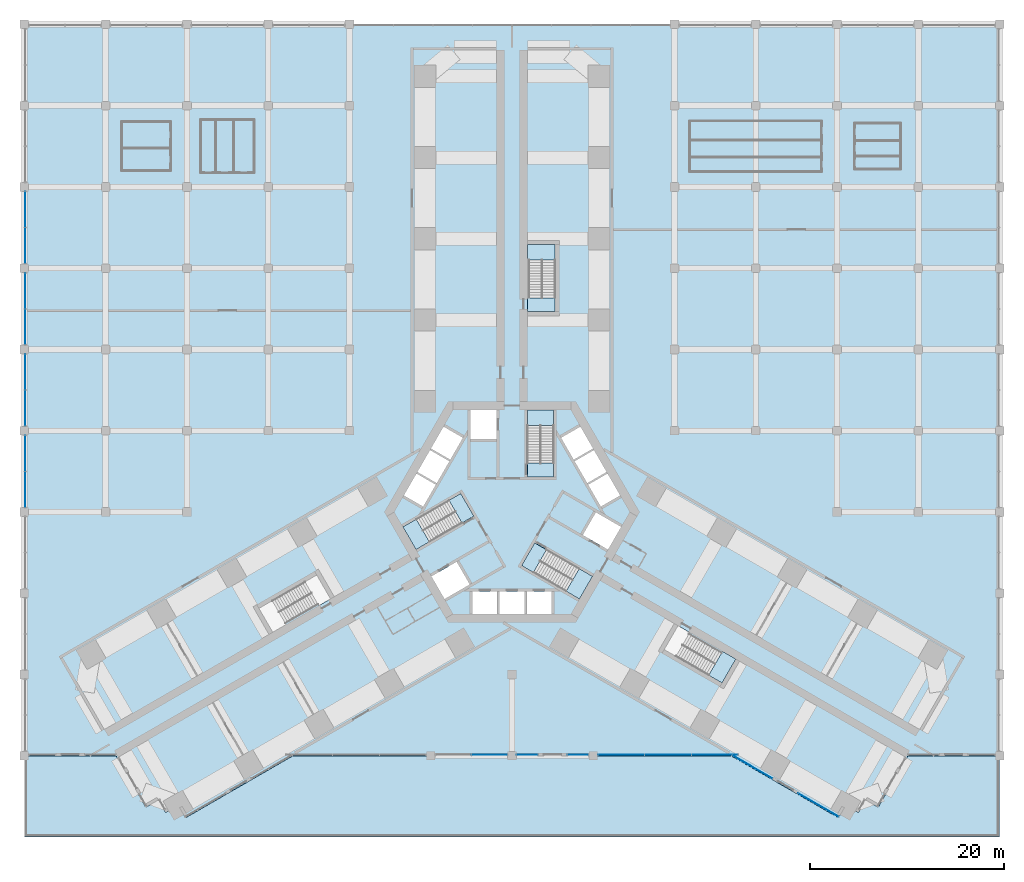
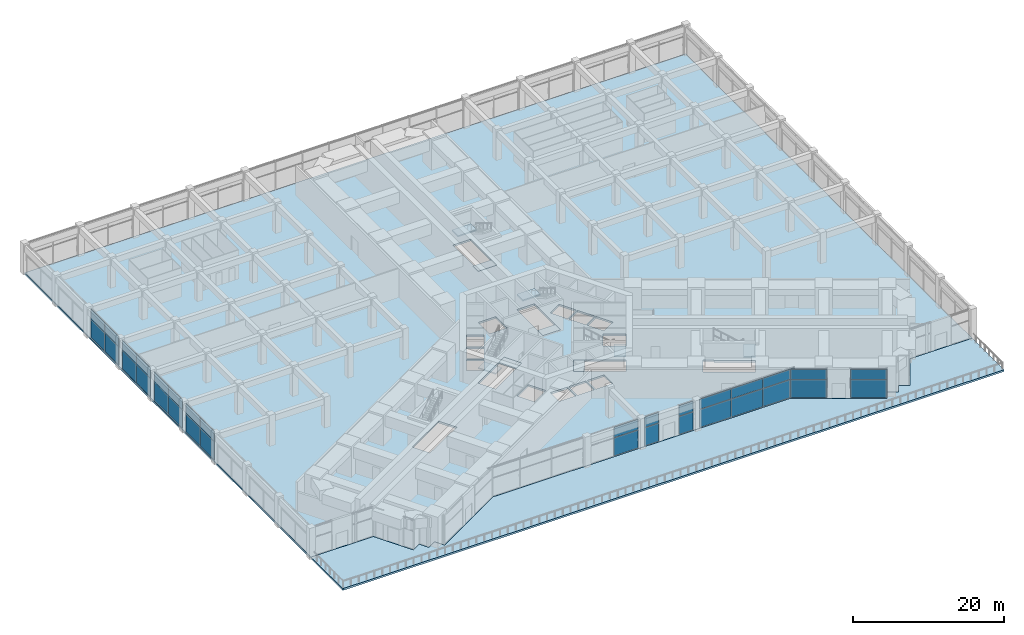
# One storey, part 23 of 34: 32 plates, 11 slabs, 15 elements without a shape of their own.
"""IFC4 building model written with IfcOpenShell, lengths in metres."""

from ifc_helpers import new_model, si_unit, direction, frame, origin, origin_2d, place, context, subcontext, project, spatial, polyline, rectangle, outline, extrude, material, layer, layer_set, type_object, element, aggregate, save


model = new_model("IFC4")

# Units and contexts
model_context = context("Model", 3, precision=1e-05, world=origin(), true_north=direction((0.0, 1.0)))
body_context = subcontext(model_context, "Body", "Model", "MODEL_VIEW")
ifc_project = project(units=[si_unit("LENGTHUNIT", "METRE"), si_unit("AREAUNIT", "SQUARE_METRE"), si_unit("VOLUMEUNIT", "CUBIC_METRE"), si_unit("PLANEANGLEUNIT", "RADIAN"), si_unit("MASSUNIT", "GRAM", prefix="KILO")], contexts=[model_context])

# Site, building, storey
site_placement = place(None, origin())
site = spatial("IfcSite", under=ifc_project, at=site_placement, CompositionType="ELEMENT")
building_placement = place(site_placement, origin())
building = spatial("IfcBuilding", under=site, at=building_placement, Name="Impinga Residences", CompositionType="ELEMENT")
storey_placement = place(building_placement, frame((0.0, 0.0, 11.0)))
storey = spatial("IfcBuildingStorey", under=building, at=storey_placement, Name="L02", CompositionType="ELEMENT", Elevation=11.0)

# Curtain wall, plates
ifc_material_1 = material(Name="Aluminium stick curtain wall", Category="aluminium")
curtain_wall_type = type_object("IfcCurtainWallType", Name="CW1 podium amenity curtain wall", PredefinedType="USERDEFINED", material=ifc_material_1)
curtain_wall_1_placement = place(storey_placement, origin())
curtain_wall_1 = element("IfcCurtainWall", 1, at=curtain_wall_1_placement, inside=storey, type_object=curtain_wall_type, Name="Curtain wall CW1 L02", ObjectType="STICK CURTAIN WALL", PredefinedType="USERDEFINED")
ifc_material_2 = material(Name="Clear double glazing", Category="glass")
ifc_layer_1 = layer(ifc_material_2, 0.028076171875)
ifc_layer_set_1 = layer_set([ifc_layer_1], Name="CW1-P clear double glazed panel 28")
plate_type = type_object("IfcPlateType", Name="CW1-P clear double glazed panel 28", PredefinedType="CURTAIN_PANEL", material=ifc_layer_set_1)
plate_1_placement = place(storey_placement, frame((-50.300048828125, 2.341552734375, 0.06005859375), z_axis=(0.0, 0.0, 1.0), x_axis=(0.0, 1.0, 0.0)))
plate_1 = element("IfcPlate", 2, at=plate_1_placement, type_object=plate_type, Name="CW1 panel 1.1", PredefinedType="CURTAIN_PANEL", context=body_context, shape_type="SweptSolid", body=[
    extrude(rectangle(XDim=3.656982421875, YDim=0.028076171875, at=origin_2d()), origin(), (0.0, 0.0, 1.0), 2.909912109375),
])
plate_2_placement = place(storey_placement, frame((-50.300048828125, 2.341552734375, 3.02978515625), z_axis=(0.0, 0.0, 1.0), x_axis=(0.0, 1.0, 0.0)))
plate_2 = element("IfcPlate", 3, at=plate_2_placement, type_object=plate_type, Name="CW1 panel 1.2", PredefinedType="CURTAIN_PANEL", context=body_context, shape_type="SweptSolid", body=[
    extrude(rectangle(XDim=3.656982421875, YDim=0.028076171875, at=origin_2d()), origin(), (0.0, 0.0, 1.0), 1.610107421875),
])
plate_3_placement = place(storey_placement, frame((-50.300048828125, 6.05859375, 0.06005859375), z_axis=(0.0, 0.0, 1.0), x_axis=(0.0, 1.0, 0.0)))
plate_3 = element("IfcPlate", 4, at=plate_3_placement, type_object=plate_type, Name="CW1 panel 2.1", PredefinedType="CURTAIN_PANEL", context=body_context, shape_type="SweptSolid", body=[
    extrude(rectangle(XDim=3.656982421875, YDim=0.028076171875, at=origin_2d()), origin(), (0.0, 0.0, 1.0), 2.909912109375),
])
plate_4_placement = place(storey_placement, frame((-50.300048828125, 6.05859375, 3.02978515625), z_axis=(0.0, 0.0, 1.0), x_axis=(0.0, 1.0, 0.0)))
plate_4 = element("IfcPlate", 5, at=plate_4_placement, type_object=plate_type, Name="CW1 panel 2.2", PredefinedType="CURTAIN_PANEL", context=body_context, shape_type="SweptSolid", body=[
    extrude(rectangle(XDim=3.656982421875, YDim=0.028076171875, at=origin_2d()), origin(), (0.0, 0.0, 1.0), 1.610107421875),
])
aggregate(curtain_wall_1, [plate_1, plate_2, plate_3, plate_4])

curtain_wall_2_placement = place(storey_placement, origin())
curtain_wall_2 = element("IfcCurtainWall", 6, at=curtain_wall_2_placement, inside=storey, type_object=curtain_wall_type, Name="Curtain wall CW1 L02", ObjectType="STICK CURTAIN WALL", PredefinedType="USERDEFINED")
plate_5_placement = place(storey_placement, frame((-50.300048828125, 10.741455078125, 0.06005859375), z_axis=(0.0, 0.0, 1.0), x_axis=(0.0, 1.0, 0.0)))
plate_5 = element("IfcPlate", 7, at=plate_5_placement, type_object=plate_type, Name="CW1 panel 1.1", PredefinedType="CURTAIN_PANEL", context=body_context, shape_type="SweptSolid", body=[
    extrude(rectangle(XDim=3.656982421875, YDim=0.028076171875, at=origin_2d()), origin(), (0.0, 0.0, 1.0), 2.909912109375),
])
plate_6_placement = place(storey_placement, frame((-50.300048828125, 10.741455078125, 3.02978515625), z_axis=(0.0, 0.0, 1.0), x_axis=(0.0, 1.0, 0.0)))
plate_6 = element("IfcPlate", 8, at=plate_6_placement, type_object=plate_type, Name="CW1 panel 1.2", PredefinedType="CURTAIN_PANEL", context=body_context, shape_type="SweptSolid", body=[
    extrude(rectangle(XDim=3.656982421875, YDim=0.028076171875, at=origin_2d()), origin(), (0.0, 0.0, 1.0), 1.610107421875),
])
plate_7_placement = place(storey_placement, frame((-50.300048828125, 14.45849609375, 0.06005859375), z_axis=(0.0, 0.0, 1.0), x_axis=(0.0, 1.0, 0.0)))
plate_7 = element("IfcPlate", 9, at=plate_7_placement, type_object=plate_type, Name="CW1 panel 2.1", PredefinedType="CURTAIN_PANEL", context=body_context, shape_type="SweptSolid", body=[
    extrude(rectangle(XDim=3.656982421875, YDim=0.028076171875, at=origin_2d()), origin(), (0.0, 0.0, 1.0), 2.909912109375),
])
plate_8_placement = place(storey_placement, frame((-50.300048828125, 14.45849609375, 3.02978515625), z_axis=(0.0, 0.0, 1.0), x_axis=(0.0, 1.0, 0.0)))
plate_8 = element("IfcPlate", 10, at=plate_8_placement, type_object=plate_type, Name="CW1 panel 2.2", PredefinedType="CURTAIN_PANEL", context=body_context, shape_type="SweptSolid", body=[
    extrude(rectangle(XDim=3.656982421875, YDim=0.028076171875, at=origin_2d()), origin(), (0.0, 0.0, 1.0), 1.610107421875),
])
aggregate(curtain_wall_2, [plate_5, plate_6, plate_7, plate_8])

curtain_wall_3_placement = place(storey_placement, origin())
curtain_wall_3 = element("IfcCurtainWall", 11, at=curtain_wall_3_placement, inside=storey, type_object=curtain_wall_type, Name="Curtain wall CW1 L02", ObjectType="STICK CURTAIN WALL", PredefinedType="USERDEFINED")
plate_9_placement = place(storey_placement, frame((-50.300048828125, 19.1416015625, 0.06005859375), z_axis=(0.0, 0.0, 1.0), x_axis=(0.0, 1.0, 0.0)))
plate_9 = element("IfcPlate", 12, at=plate_9_placement, type_object=plate_type, Name="CW1 panel 1.1", PredefinedType="CURTAIN_PANEL", context=body_context, shape_type="SweptSolid", body=[
    extrude(rectangle(XDim=3.656982421875, YDim=0.028076171875, at=origin_2d()), origin(), (0.0, 0.0, 1.0), 2.909912109375),
])
plate_10_placement = place(storey_placement, frame((-50.300048828125, 19.1416015625, 3.02978515625), z_axis=(0.0, 0.0, 1.0), x_axis=(0.0, 1.0, 0.0)))
plate_10 = element("IfcPlate", 13, at=plate_10_placement, type_object=plate_type, Name="CW1 panel 1.2", PredefinedType="CURTAIN_PANEL", context=body_context, shape_type="SweptSolid", body=[
    extrude(rectangle(XDim=3.656982421875, YDim=0.028076171875, at=origin_2d()), origin(), (0.0, 0.0, 1.0), 1.610107421875),
])
plate_11_placement = place(storey_placement, frame((-50.300048828125, 22.8583984375, 0.06005859375), z_axis=(0.0, 0.0, 1.0), x_axis=(0.0, 1.0, 0.0)))
plate_11 = element("IfcPlate", 14, at=plate_11_placement, type_object=plate_type, Name="CW1 panel 2.1", PredefinedType="CURTAIN_PANEL", context=body_context, shape_type="SweptSolid", body=[
    extrude(rectangle(XDim=3.656982421875, YDim=0.028076171875, at=origin_2d()), origin(), (0.0, 0.0, 1.0), 2.909912109375),
])
plate_12_placement = place(storey_placement, frame((-50.300048828125, 22.8583984375, 3.02978515625), z_axis=(0.0, 0.0, 1.0), x_axis=(0.0, 1.0, 0.0)))
plate_12 = element("IfcPlate", 15, at=plate_12_placement, type_object=plate_type, Name="CW1 panel 2.2", PredefinedType="CURTAIN_PANEL", context=body_context, shape_type="SweptSolid", body=[
    extrude(rectangle(XDim=3.656982421875, YDim=0.028076171875, at=origin_2d()), origin(), (0.0, 0.0, 1.0), 1.610107421875),
])
aggregate(curtain_wall_3, [plate_9, plate_10, plate_11, plate_12])

curtain_wall_4_placement = place(storey_placement, origin())
curtain_wall_4 = element("IfcCurtainWall", 16, at=curtain_wall_4_placement, inside=storey, type_object=curtain_wall_type, Name="Curtain wall CW1 L02", ObjectType="STICK CURTAIN WALL", PredefinedType="USERDEFINED")
plate_13_placement = place(storey_placement, frame((-50.300048828125, 27.54150390625, 0.06005859375), z_axis=(0.0, 0.0, 1.0), x_axis=(0.0, 1.0, 0.0)))
plate_13 = element("IfcPlate", 17, at=plate_13_placement, type_object=plate_type, Name="CW1 panel 1.1", PredefinedType="CURTAIN_PANEL", context=body_context, shape_type="SweptSolid", body=[
    extrude(rectangle(XDim=3.656982421875, YDim=0.028076171875, at=origin_2d()), origin(), (0.0, 0.0, 1.0), 2.909912109375),
])
plate_14_placement = place(storey_placement, frame((-50.300048828125, 27.54150390625, 3.02978515625), z_axis=(0.0, 0.0, 1.0), x_axis=(0.0, 1.0, 0.0)))
plate_14 = element("IfcPlate", 18, at=plate_14_placement, type_object=plate_type, Name="CW1 panel 1.2", PredefinedType="CURTAIN_PANEL", context=body_context, shape_type="SweptSolid", body=[
    extrude(rectangle(XDim=3.656982421875, YDim=0.028076171875, at=origin_2d()), origin(), (0.0, 0.0, 1.0), 1.610107421875),
])
plate_15_placement = place(storey_placement, frame((-50.300048828125, 31.258544921875, 0.06005859375), z_axis=(0.0, 0.0, 1.0), x_axis=(0.0, 1.0, 0.0)))
plate_15 = element("IfcPlate", 19, at=plate_15_placement, type_object=plate_type, Name="CW1 panel 2.1", PredefinedType="CURTAIN_PANEL", context=body_context, shape_type="SweptSolid", body=[
    extrude(rectangle(XDim=3.656982421875, YDim=0.028076171875, at=origin_2d()), origin(), (0.0, 0.0, 1.0), 2.909912109375),
])
plate_16_placement = place(storey_placement, frame((-50.300048828125, 31.258544921875, 3.02978515625), z_axis=(0.0, 0.0, 1.0), x_axis=(0.0, 1.0, 0.0)))
plate_16 = element("IfcPlate", 20, at=plate_16_placement, type_object=plate_type, Name="CW1 panel 2.2", PredefinedType="CURTAIN_PANEL", context=body_context, shape_type="SweptSolid", body=[
    extrude(rectangle(XDim=3.656982421875, YDim=0.028076171875, at=origin_2d()), origin(), (0.0, 0.0, 1.0), 1.610107421875),
])
aggregate(curtain_wall_4, [plate_13, plate_14, plate_15, plate_16])

curtain_wall_5_placement = place(storey_placement, origin())
curtain_wall_5 = element("IfcCurtainWall", 21, at=curtain_wall_5_placement, inside=storey, type_object=curtain_wall_type, Name="Curtain wall CW1 L02", ObjectType="STICK CURTAIN WALL", PredefinedType="USERDEFINED")
plate_17_placement = place(storey_placement, frame((31.6728515625, -30.295166015625, 0.06005859375), z_axis=(0.0, 0.0, 1.0), x_axis=(-0.866025446964, 0.499999925211, 0.0)))
plate_17 = element("IfcPlate", 22, at=plate_17_placement, type_object=plate_type, Name="CW1 panel 1.1", PredefinedType="CURTAIN_PANEL", context=body_context, shape_type="SweptSolid", body=[
    extrude(rectangle(XDim=4.7890625, YDim=0.028076171875, at=origin_2d()), origin(), (0.0, 0.0, 1.0), 2.909912109375),
])
plate_18_placement = place(storey_placement, frame((31.6728515625, -30.295166015625, 3.02978515625), z_axis=(0.0, 0.0, 1.0), x_axis=(-0.866025446964, 0.499999925211, 0.0)))
plate_18 = element("IfcPlate", 23, at=plate_18_placement, type_object=plate_type, Name="CW1 panel 1.2", PredefinedType="CURTAIN_PANEL", context=body_context, shape_type="SweptSolid", body=[
    extrude(rectangle(XDim=4.7890625, YDim=0.028076171875, at=origin_2d()), origin(), (0.0, 0.0, 1.0), 1.610107421875),
])
aggregate(curtain_wall_5, [plate_17, plate_18])

curtain_wall_6_placement = place(storey_placement, origin())
curtain_wall_6 = element("IfcCurtainWall", 24, at=curtain_wall_6_placement, inside=storey, type_object=curtain_wall_type, Name="Curtain wall CW1 L02", ObjectType="STICK CURTAIN WALL", PredefinedType="USERDEFINED")
plate_19_placement = place(storey_placement, frame((24.8232421875, -26.340576171875, 0.06005859375), z_axis=(0.0, 0.0, 1.0), x_axis=(-0.866025358764, 0.500000077978, 0.0)))
plate_19 = element("IfcPlate", 25, at=plate_19_placement, type_object=plate_type, Name="CW1 panel 1.1", PredefinedType="CURTAIN_PANEL", context=body_context, shape_type="SweptSolid", body=[
    extrude(rectangle(XDim=4.7890625, YDim=0.028076171875, at=origin_2d()), origin(), (0.0, 0.0, 1.0), 2.909912109375),
])
plate_20_placement = place(storey_placement, frame((24.8232421875, -26.340576171875, 3.02978515625), z_axis=(0.0, 0.0, 1.0), x_axis=(-0.866025358764, 0.500000077978, 0.0)))
plate_20 = element("IfcPlate", 26, at=plate_20_placement, type_object=plate_type, Name="CW1 panel 1.2", PredefinedType="CURTAIN_PANEL", context=body_context, shape_type="SweptSolid", body=[
    extrude(rectangle(XDim=4.7890625, YDim=0.028076171875, at=origin_2d()), origin(), (0.0, 0.0, 1.0), 1.610107421875),
])
aggregate(curtain_wall_6, [plate_19, plate_20])

curtain_wall_7_placement = place(storey_placement, origin())
curtain_wall_7 = element("IfcCurtainWall", 27, at=curtain_wall_7_placement, inside=storey, type_object=curtain_wall_type, Name="Curtain wall CW1 L02", ObjectType="STICK CURTAIN WALL", PredefinedType="USERDEFINED")
plate_21_placement = place(storey_placement, frame((20.95556640625, -25.10009765625, 0.06005859375), z_axis=(0.0, 0.0, 1.0), x_axis=(-1.0, 0.0, 0.0)))
plate_21 = element("IfcPlate", 28, at=plate_21_placement, type_object=plate_type, Name="CW1 panel 1.1", PredefinedType="CURTAIN_PANEL", context=body_context, shape_type="SweptSolid", body=[
    extrude(rectangle(XDim=4.757080078125, YDim=0.028076171875, at=origin_2d()), origin(), (0.0, 0.0, 1.0), 2.909912109375),
])
plate_22_placement = place(storey_placement, frame((20.95556640625, -25.10009765625, 3.02978515625), z_axis=(0.0, 0.0, 1.0), x_axis=(-1.0, 0.0, 0.0)))
plate_22 = element("IfcPlate", 29, at=plate_22_placement, type_object=plate_type, Name="CW1 panel 1.2", PredefinedType="CURTAIN_PANEL", context=body_context, shape_type="SweptSolid", body=[
    extrude(rectangle(XDim=4.757080078125, YDim=0.028076171875, at=origin_2d()), origin(), (0.0, 0.0, 1.0), 1.610107421875),
])
plate_23_placement = place(storey_placement, frame((16.12353515625, -25.10009765625, 0.06005859375), z_axis=(0.0, 0.0, 1.0), x_axis=(-1.0, 0.0, 0.0)))
plate_23 = element("IfcPlate", 30, at=plate_23_placement, type_object=plate_type, Name="CW1 panel 2.1", PredefinedType="CURTAIN_PANEL", context=body_context, shape_type="SweptSolid", body=[
    extrude(rectangle(XDim=4.787109375, YDim=0.028076171875, at=origin_2d()), origin(), (0.0, 0.0, 1.0), 2.909912109375),
])
plate_24_placement = place(storey_placement, frame((16.12353515625, -25.10009765625, 3.02978515625), z_axis=(0.0, 0.0, 1.0), x_axis=(-1.0, 0.0, 0.0)))
plate_24 = element("IfcPlate", 31, at=plate_24_placement, type_object=plate_type, Name="CW1 panel 2.2", PredefinedType="CURTAIN_PANEL", context=body_context, shape_type="SweptSolid", body=[
    extrude(rectangle(XDim=4.787109375, YDim=0.028076171875, at=origin_2d()), origin(), (0.0, 0.0, 1.0), 1.610107421875),
])
plate_25_placement = place(storey_placement, frame((11.29150390625, -25.10009765625, 0.06005859375), z_axis=(0.0, 0.0, 1.0), x_axis=(-1.0, 0.0, 0.0)))
plate_25 = element("IfcPlate", 32, at=plate_25_placement, type_object=plate_type, Name="CW1 panel 3.1", PredefinedType="CURTAIN_PANEL", context=body_context, shape_type="SweptSolid", body=[
    extrude(rectangle(XDim=4.757080078125, YDim=0.028076171875, at=origin_2d()), origin(), (0.0, 0.0, 1.0), 2.909912109375),
])
plate_26_placement = place(storey_placement, frame((11.29150390625, -25.10009765625, 3.02978515625), z_axis=(0.0, 0.0, 1.0), x_axis=(-1.0, 0.0, 0.0)))
plate_26 = element("IfcPlate", 33, at=plate_26_placement, type_object=plate_type, Name="CW1 panel 3.2", PredefinedType="CURTAIN_PANEL", context=body_context, shape_type="SweptSolid", body=[
    extrude(rectangle(XDim=4.757080078125, YDim=0.028076171875, at=origin_2d()), origin(), (0.0, 0.0, 1.0), 1.610107421875),
])
aggregate(curtain_wall_7, [plate_21, plate_22, plate_23, plate_24, plate_25, plate_26])

curtain_wall_8_placement = place(storey_placement, origin())
curtain_wall_8 = element("IfcCurtainWall", 34, at=curtain_wall_8_placement, inside=storey, type_object=curtain_wall_type, Name="Curtain wall CW1 L02", ObjectType="STICK CURTAIN WALL", PredefinedType="USERDEFINED")
plate_27_placement = place(storey_placement, frame((6.8232421875, -25.10009765625, 0.06005859375), z_axis=(0.0, 0.0, 1.0), x_axis=(-1.0, 0.0, 0.0)))
plate_27 = element("IfcPlate", 35, at=plate_27_placement, type_object=plate_type, Name="CW1 panel 1.1", PredefinedType="CURTAIN_PANEL", context=body_context, shape_type="SweptSolid", body=[
    extrude(rectangle(XDim=2.12744140625, YDim=0.028076171875, at=origin_2d()), origin(), (0.0, 0.0, 1.0), 2.909912109375),
])
plate_28_placement = place(storey_placement, frame((6.8232421875, -25.10009765625, 3.02978515625), z_axis=(0.0, 0.0, 1.0), x_axis=(-1.0, 0.0, 0.0)))
plate_28 = element("IfcPlate", 36, at=plate_28_placement, type_object=plate_type, Name="CW1 panel 1.2", PredefinedType="CURTAIN_PANEL", context=body_context, shape_type="SweptSolid", body=[
    extrude(rectangle(XDim=2.12744140625, YDim=0.028076171875, at=origin_2d()), origin(), (0.0, 0.0, 1.0), 1.610107421875),
])
aggregate(curtain_wall_8, [plate_27, plate_28])

curtain_wall_9_placement = place(storey_placement, origin())
curtain_wall_9 = element("IfcCurtainWall", 37, at=curtain_wall_9_placement, inside=storey, type_object=curtain_wall_type, Name="Curtain wall CW1 L02", ObjectType="STICK CURTAIN WALL", PredefinedType="USERDEFINED")
plate_29_placement = place(storey_placement, frame((1.576416015625, -25.10009765625, 0.06005859375), z_axis=(0.0, 0.0, 1.0), x_axis=(-1.0, 0.0, 0.0)))
plate_29 = element("IfcPlate", 38, at=plate_29_placement, type_object=plate_type, Name="CW1 panel 1.1", PredefinedType="CURTAIN_PANEL", context=body_context, shape_type="SweptSolid", body=[
    extrude(rectangle(XDim=2.126708984375, YDim=0.028076171875, at=origin_2d()), origin(), (0.0, 0.0, 1.0), 2.909912109375),
])
plate_30_placement = place(storey_placement, frame((1.576416015625, -25.10009765625, 3.02978515625), z_axis=(0.0, 0.0, 1.0), x_axis=(-1.0, 0.0, 0.0)))
plate_30 = element("IfcPlate", 39, at=plate_30_placement, type_object=plate_type, Name="CW1 panel 1.2", PredefinedType="CURTAIN_PANEL", context=body_context, shape_type="SweptSolid", body=[
    extrude(rectangle(XDim=2.126708984375, YDim=0.028076171875, at=origin_2d()), origin(), (0.0, 0.0, 1.0), 1.610107421875),
])
aggregate(curtain_wall_9, [plate_29, plate_30])

curtain_wall_10_placement = place(storey_placement, origin())
curtain_wall_10 = element("IfcCurtainWall", 40, at=curtain_wall_10_placement, inside=storey, type_object=curtain_wall_type, Name="Curtain wall CW1 L02", ObjectType="STICK CURTAIN WALL", PredefinedType="USERDEFINED")
plate_31_placement = place(storey_placement, frame((-2.341552734375, -25.10009765625, 0.06005859375), z_axis=(0.0, 0.0, 1.0), x_axis=(-1.0, 0.0, 0.0)))
plate_31 = element("IfcPlate", 41, at=plate_31_placement, type_object=plate_type, Name="CW1 panel 1.1", PredefinedType="CURTAIN_PANEL", context=body_context, shape_type="SweptSolid", body=[
    extrude(rectangle(XDim=3.656982421875, YDim=0.028076171875, at=origin_2d()), origin(), (0.0, 0.0, 1.0), 2.909912109375),
])
plate_32_placement = place(storey_placement, frame((-2.341552734375, -25.10009765625, 3.02978515625), z_axis=(0.0, 0.0, 1.0), x_axis=(-1.0, 0.0, 0.0)))
plate_32 = element("IfcPlate", 42, at=plate_32_placement, type_object=plate_type, Name="CW1 panel 1.2", PredefinedType="CURTAIN_PANEL", context=body_context, shape_type="SweptSolid", body=[
    extrude(rectangle(XDim=3.656982421875, YDim=0.028076171875, at=origin_2d()), origin(), (0.0, 0.0, 1.0), 1.610107421875),
])
aggregate(curtain_wall_10, [plate_31, plate_32])

# Slab
ifc_material_3 = material(Name="Concrete C60/75", Category="concrete")
ifc_layer_2 = layer(ifc_material_3, 0.300048828125)
ifc_layer_set_2 = layer_set([ifc_layer_2], Name="Concrete C60/75")
slab_type_1 = type_object("IfcSlabType", Name="FS2 podium, plant and crown floor slab 300", PredefinedType="FLOOR", material=ifc_layer_set_2)
slab_1_placement = place(storey_placement, frame((0.0, 0.0, -0.300048828125)))
element("IfcSlab", 43, at=slab_1_placement, inside=storey, type_object=slab_type_1, Name="Floor slab FS2 L02", PredefinedType="FLOOR", context=body_context, shape_type="SweptSolid", body=[
    extrude(outline(polyline([(-35.797607421875, -31.06005859375), (-36.547607421875, -29.760986328125), (-37.846435546875, -30.510986328125), (-40.912841796875, -25.199951171875), (-50.39990234375, -25.199951171875), (-50.39990234375, 50.39990234375), (50.39990234375, 50.39990234375), (50.39990234375, -25.199951171875), (40.912841796875, -25.199951171875), (37.846435546875, -30.510986328125), (36.547607421875, -29.760986328125), (35.797607421875, -31.06005859375), (34.49853515625, -30.31005859375), (33.74853515625, -31.609130859375), (22.647705078125, -25.199951171875), (-22.647705078125, -25.199951171875), (-33.74853515625, -31.609130859375), (-34.49853515625, -30.31005859375), (-35.797607421875, -31.06005859375)]), holes=[polyline([(-21.391357421875, -7.2119140625), (-26.154541015625, -9.9619140625), (-24.8046875, -12.30029296875), (-20.04150390625, -9.55029296875), (-19.966552734375, -9.68017578125), (-18.754150390625, -8.980224609375), (-18.8291015625, -8.850341796875), (-18.8291015625, -8.850341796875), (-20.178955078125, -6.511962890625), (-21.391357421875, -7.2119140625), (-21.391357421875, -7.2119140625)]), polyline([(-1.5, -8.2314453125), (-4.10009765625, -8.2314453125), (-4.10009765625, -10.531494140625), (-1.5, -10.531494140625), (-1.5, -8.2314453125)]), polyline([(1.300048828125, -8.2314453125), (-1.300048828125, -8.2314453125), (-1.300048828125, -10.531494140625), (1.300048828125, -10.531494140625), (1.300048828125, -8.2314453125)]), polyline([(1.5, -8.2314453125), (1.5, -10.531494140625), (4.10009765625, -10.531494140625), (4.10009765625, -8.2314453125), (1.5, -8.2314453125)]), polyline([(-5.72119140625, -5.150634765625), (-8.320556640625, -6.6513671875), (-6.970458984375, -8.98974609375), (-4.37109375, -7.489013671875), (-5.72119140625, -5.150634765625)]), polyline([(-3.943603515625, -0.429443359375), (-5.293701171875, 1.908935546875), (-11.2705078125, -1.541748046875), (-9.920654296875, -3.880126953125), (-3.943603515625, -0.429443359375)]), polyline([(-9.1787109375, 0.56494140625), (-7.878662109375, 2.816650390625), (-9.87060546875, 3.966796875), (-11.170654296875, 1.715087890625), (-9.1787109375, 0.56494140625)]), polyline([(-6.478759765625, 5.24169921875), (-8.470458984375, 6.3916015625), (-9.7705078125, 4.139892578125), (-7.77880859375, 2.989990234375), (-6.478759765625, 5.24169921875)]), polyline([(-6.378662109375, 5.414794921875), (-5.07861328125, 7.66650390625), (-7.070556640625, 8.81640625), (-8.37060546875, 6.564697265625), (-6.378662109375, 5.414794921875)]), polyline([(-4.300048828125, 7.530029296875), (-1.60009765625, 7.530029296875), (-1.60009765625, 10.531494140625), (-4.300048828125, 10.531494140625), (-4.300048828125, 7.530029296875)]), polyline([(15.72900390625, -14.219482421875), (21.70458984375, -17.669677734375), (23.0546875, -15.331298828125), (18.29150390625, -12.581298828125), (18.366455078125, -12.451416015625), (17.154052734375, -11.75146484375), (15.72900390625, -14.219482421875)]), polyline([(0.99365234375, -5.538818359375), (6.970458984375, -8.98974609375), (8.320556640625, -6.6513671875), (2.34375, -3.20068359375), (0.99365234375, -5.538818359375)]), polyline([(8.671142578125, -0.041015625), (7.3212890625, -2.37939453125), (9.920654296875, -3.880126953125), (11.2705078125, -1.541748046875), (8.671142578125, -0.041015625)]), polyline([(7.878662109375, 2.816650390625), (9.1787109375, 0.56494140625), (11.170654296875, 1.715087890625), (9.87060546875, 3.966796875), (7.878662109375, 2.816650390625)]), polyline([(7.77880859375, 2.989990234375), (9.7705078125, 4.139892578125), (8.470458984375, 6.3916015625), (6.478759765625, 5.24169921875), (7.77880859375, 2.989990234375)]), polyline([(1.60009765625, 3.6298828125), (4.300048828125, 3.6298828125), (4.300048828125, 10.531494140625), (1.60009765625, 10.531494140625), (1.60009765625, 3.6298828125)]), polyline([(5.07861328125, 7.66650390625), (6.378662109375, 5.414794921875), (8.37060546875, 6.564697265625), (7.070556640625, 8.81640625), (5.07861328125, 7.66650390625)]), polyline([(1.75, 22.131591796875), (1.60009765625, 22.131591796875), (1.60009765625, 20.7314453125), (1.75, 20.7314453125), (4.449951171875, 20.7314453125), (4.449951171875, 22.131591796875), (4.449951171875, 27.631591796875), (1.75, 27.631591796875), (1.75, 22.131591796875)])]), origin(), (0.0, 0.0, 1.0), 0.300048828125),
])

# Stair, slabs
ifc_material_4 = material(Name="Concrete C40/50", Category="concrete")
stair_type_1 = type_object("IfcStairType", Name="STR core stair 5000 storey, 30 risers", PredefinedType="HALF_TURN_STAIR", material=ifc_material_4)
stair_1_placement = place(storey_placement, origin())
stair_1 = element("IfcStair", 44, at=stair_1_placement, inside=storey, type_object=stair_type_1, Name="Stair ST1 L02", PredefinedType="HALF_TURN_STAIR")
ifc_layer_3 = layer(ifc_material_4, 0.199951171875)
ifc_layer_set_3 = layer_set([ifc_layer_3], Name="Concrete C40/50")
slab_type_2 = type_object("IfcSlabType", Name="LS1 stair landing 200", PredefinedType="LANDING", material=ifc_layer_set_3)
slab_2_placement = place(storey_placement, frame((0.0, 0.0, -0.199951171875)))
slab_2 = element("IfcSlab", 45, at=slab_2_placement, type_object=slab_type_2, Name="ST1 landing 1", PredefinedType="LANDING", context=body_context, shape_type="SweptSolid", body=[
    extrude(outline(polyline([(1.60009765625, 3.6298828125), (4.300048828125, 3.6298828125), (4.300048828125, 5.0400390625), (1.60009765625, 5.0400390625), (1.60009765625, 3.6298828125)])), origin(), (0.0, 0.0, 1.0), 0.199951171875),
])
slab_3_placement = place(storey_placement, frame((0.0, 0.0, 2.300048828125)))
slab_3 = element("IfcSlab", 46, at=slab_3_placement, type_object=slab_type_2, Name="ST1 landing 2", PredefinedType="LANDING", context=body_context, shape_type="SweptSolid", body=[
    extrude(outline(polyline([(1.60009765625, 8.93994140625), (4.300048828125, 8.93994140625), (4.300048828125, 10.531494140625), (1.60009765625, 10.531494140625), (1.60009765625, 8.93994140625)])), origin(), (0.0, 0.0, 1.0), 0.199951171875),
])
aggregate(stair_1, [slab_2, slab_3])

stair_2_placement = place(storey_placement, origin())
stair_2 = element("IfcStair", 47, at=stair_2_placement, inside=storey, type_object=stair_type_1, Name="Stair ST2 L02", PredefinedType="HALF_TURN_STAIR")
slab_4_placement = place(storey_placement, frame((0.0, 0.0, -0.199951171875)))
slab_4 = element("IfcSlab", 48, at=slab_4_placement, type_object=slab_type_2, Name="ST2 landing 1", PredefinedType="LANDING", context=body_context, shape_type="SweptSolid", body=[
    extrude(outline(polyline([(-3.943603515625, -0.429443359375), (-5.293701171875, 1.908935546875), (-6.5146484375, 1.203857421875), (-5.164794921875, -1.13427734375), (-3.943603515625, -0.429443359375)])), origin(), (0.0, 0.0, 1.0), 0.199951171875),
])
slab_5_placement = place(storey_placement, frame((0.0, 0.0, 2.300048828125)))
slab_5 = element("IfcSlab", 49, at=slab_5_placement, type_object=slab_type_2, Name="ST2 landing 2", PredefinedType="LANDING", context=body_context, shape_type="SweptSolid", body=[
    extrude(outline(polyline([(-8.542236328125, -3.08447265625), (-9.892333984375, -0.74609375), (-11.2705078125, -1.541748046875), (-9.920654296875, -3.880126953125), (-8.542236328125, -3.08447265625)])), origin(), (0.0, 0.0, 1.0), 0.199951171875),
])
aggregate(stair_2, [slab_4, slab_5])

stair_3_placement = place(storey_placement, origin())
stair_3 = element("IfcStair", 50, at=stair_3_placement, inside=storey, type_object=stair_type_1, Name="Stair ST3 L02", PredefinedType="HALF_TURN_STAIR")
slab_6_placement = place(storey_placement, frame((0.0, 0.0, -0.199951171875)))
slab_6 = element("IfcSlab", 51, at=slab_6_placement, type_object=slab_type_2, Name="ST3 landing 1", PredefinedType="LANDING", context=body_context, shape_type="SweptSolid", body=[
    extrude(outline(polyline([(2.34375, -3.20068359375), (0.99365234375, -5.538818359375), (2.21484375, -6.243896484375), (3.564697265625, -3.90576171875), (2.34375, -3.20068359375)])), origin(), (0.0, 0.0, 1.0), 0.199951171875),
])
slab_7_placement = place(storey_placement, frame((0.0, 0.0, 2.300048828125)))
slab_7 = element("IfcSlab", 52, at=slab_7_placement, type_object=slab_type_2, Name="ST3 landing 2", PredefinedType="LANDING", context=body_context, shape_type="SweptSolid", body=[
    extrude(outline(polyline([(6.9423828125, -5.855712890625), (5.59228515625, -8.19384765625), (6.970458984375, -8.98974609375), (8.320556640625, -6.6513671875), (6.9423828125, -5.855712890625)])), origin(), (0.0, 0.0, 1.0), 0.199951171875),
])
aggregate(stair_3, [slab_6, slab_7])

stair_type_2 = type_object("IfcStairType", Name="STR wing stair 5000 storey, 30 risers", PredefinedType="HALF_TURN_STAIR", material=ifc_material_4)
stair_4_placement = place(storey_placement, origin())
stair_4 = element("IfcStair", 53, at=stair_4_placement, inside=storey, type_object=stair_type_2, Name="Stair WS1 L02", PredefinedType="HALF_TURN_STAIR")
slab_8_placement = place(storey_placement, frame((0.0, 0.0, -0.199951171875)))
slab_8 = element("IfcSlab", 54, at=slab_8_placement, type_object=slab_type_2, Name="WS1 landing 1", PredefinedType="LANDING", context=body_context, shape_type="SweptSolid", body=[
    extrude(outline(polyline([(1.60009765625, 20.7314453125), (4.449951171875, 20.7314453125), (4.449951171875, 22.1416015625), (1.60009765625, 22.1416015625), (1.60009765625, 20.7314453125)])), origin(), (0.0, 0.0, 1.0), 0.199951171875),
])
slab_9_placement = place(storey_placement, frame((0.0, 0.0, 2.300048828125)))
slab_9 = element("IfcSlab", 55, at=slab_9_placement, type_object=slab_type_2, Name="WS1 landing 2", PredefinedType="LANDING", context=body_context, shape_type="SweptSolid", body=[
    extrude(outline(polyline([(1.60009765625, 26.04150390625), (4.449951171875, 26.04150390625), (4.449951171875, 27.631591796875), (1.60009765625, 27.631591796875), (1.60009765625, 26.04150390625)])), origin(), (0.0, 0.0, 1.0), 0.199951171875),
])
aggregate(stair_4, [slab_8, slab_9])

# Stair, slab
stair_5_placement = place(storey_placement, origin())
stair_5 = element("IfcStair", 56, at=stair_5_placement, inside=storey, type_object=stair_type_2, Name="Stair WS3 L02", PredefinedType="HALF_TURN_STAIR")
slab_10_placement = place(storey_placement, frame((0.0, 0.0, 2.300048828125)))
slab_10 = element("IfcSlab", 57, at=slab_10_placement, type_object=slab_type_2, Name="WS3 landing 2", PredefinedType="LANDING", context=body_context, shape_type="SweptSolid", body=[
    extrude(outline(polyline([(21.752685546875, -14.406494140625), (20.32763671875, -16.87451171875), (21.70458984375, -17.669677734375), (23.129638671875, -15.201416015625), (21.752685546875, -14.406494140625)])), origin(), (0.0, 0.0, 1.0), 0.199951171875),
])
aggregate(stair_5, [slab_10])

# Slab
ifc_layer_4 = layer(ifc_material_3, 0.300048828125)
ifc_layer_set_4 = layer_set([ifc_layer_4], Name="Concrete C60/75")
slab_type_3 = type_object("IfcSlabType", Name="TS1 podium terrace slab 300", PredefinedType="ROOF", material=ifc_layer_set_4)
slab_11_placement = place(storey_placement, frame((0.0, 0.0, -0.300048828125)))
element("IfcSlab", 58, at=slab_11_placement, inside=storey, type_object=slab_type_3, Name="Podium terrace TS1 L02", PredefinedType="ROOF", context=body_context, shape_type="SweptSolid", body=[
    extrude(outline(polyline([(-50.39990234375, -25.200927734375), (-40.913330078125, -25.200927734375), (-37.847412109375, -30.511474609375), (-37.847412109375, -30.511474609375), (-37.84716796875, -30.51171875), (-37.84716796875, -30.51171875), (-37.84716796875, -30.51171875), (-37.84716796875, -30.51171875), (-37.846923828125, -30.511962890625), (-37.846923828125, -30.511962890625), (-37.8466796875, -30.511962890625), (-37.8466796875, -30.511962890625), (-37.8466796875, -30.511962890625), (-37.846435546875, -30.511962890625), (-37.846435546875, -30.511962890625), (-37.84619140625, -30.511962890625), (-37.84619140625, -30.511962890625), (-37.84619140625, -30.511962890625), (-37.845947265625, -30.51171875), (-36.5478515625, -29.76220703125), (-35.79833984375, -31.060546875), (-35.79833984375, -31.060546875), (-35.79833984375, -31.060546875), (-35.798095703125, -31.060791015625), (-35.798095703125, -31.060791015625), (-35.798095703125, -31.060791015625), (-35.7978515625, -31.060791015625), (-35.7978515625, -31.06103515625), (-35.7978515625, -31.06103515625), (-35.797607421875, -31.06103515625), (-35.797607421875, -31.06103515625), (-35.79736328125, -31.06103515625), (-35.79736328125, -31.06103515625), (-35.79736328125, -31.06103515625), (-35.797119140625, -31.06103515625), (-35.797119140625, -31.060791015625), (-35.796875, -31.060791015625), (-34.498779296875, -30.311279296875), (-33.749267578125, -31.609619140625), (-33.749267578125, -31.609619140625), (-33.749267578125, -31.609619140625), (-33.7490234375, -31.60986328125), (-33.7490234375, -31.60986328125), (-33.7490234375, -31.60986328125), (-33.748779296875, -31.60986328125), (-33.748779296875, -31.60986328125), (-33.748779296875, -31.610107421875), (-33.74853515625, -31.610107421875), (-33.74853515625, -31.610107421875), (-33.74853515625, -31.610107421875), (-33.748291015625, -31.610107421875), (-33.748291015625, -31.610107421875), (-33.748046875, -31.60986328125), (-33.748046875, -31.60986328125), (-33.748046875, -31.60986328125), (-22.6474609375, -25.200927734375), (22.6474609375, -25.200927734375), (33.748046875, -31.60986328125), (33.748046875, -31.60986328125), (33.748046875, -31.60986328125), (33.748291015625, -31.610107421875), (33.748291015625, -31.610107421875), (33.74853515625, -31.610107421875), (33.74853515625, -31.610107421875), (33.74853515625, -31.610107421875), (33.748779296875, -31.610107421875), (33.748779296875, -31.60986328125), (33.748779296875, -31.60986328125), (33.7490234375, -31.60986328125), (33.7490234375, -31.60986328125), (33.7490234375, -31.60986328125), (33.749267578125, -31.609619140625), (33.749267578125, -31.609619140625), (33.749267578125, -31.609619140625), (34.498779296875, -30.311279296875), (35.796875, -31.060791015625), (35.797119140625, -31.060791015625), (35.797119140625, -31.06103515625), (35.79736328125, -31.06103515625), (35.79736328125, -31.06103515625), (35.79736328125, -31.06103515625), (35.797607421875, -31.06103515625), (35.797607421875, -31.06103515625), (35.7978515625, -31.06103515625), (35.7978515625, -31.06103515625), (35.7978515625, -31.060791015625), (35.798095703125, -31.060791015625), (35.798095703125, -31.060791015625), (35.798095703125, -31.060791015625), (35.79833984375, -31.060546875), (35.79833984375, -31.060546875), (35.79833984375, -31.060546875), (36.5478515625, -29.76220703125), (37.845947265625, -30.51171875), (37.84619140625, -30.511962890625), (37.84619140625, -30.511962890625), (37.84619140625, -30.511962890625), (37.846435546875, -30.511962890625), (37.846435546875, -30.511962890625), (37.8466796875, -30.511962890625), (37.8466796875, -30.511962890625), (37.8466796875, -30.511962890625), (37.846923828125, -30.511962890625), (37.846923828125, -30.511962890625), (37.84716796875, -30.51171875), (37.84716796875, -30.51171875), (37.84716796875, -30.51171875), (37.84716796875, -30.51171875), (37.847412109375, -30.511474609375), (37.847412109375, -30.511474609375), (40.913330078125, -25.200927734375), (50.39990234375, -25.200927734375), (50.39990234375, -33.60009765625), (-50.39990234375, -33.60009765625), (-50.39990234375, -25.200927734375)])), origin(), (0.0, 0.0, 1.0), 0.300048828125),
])

save(model, "model.ifc")
